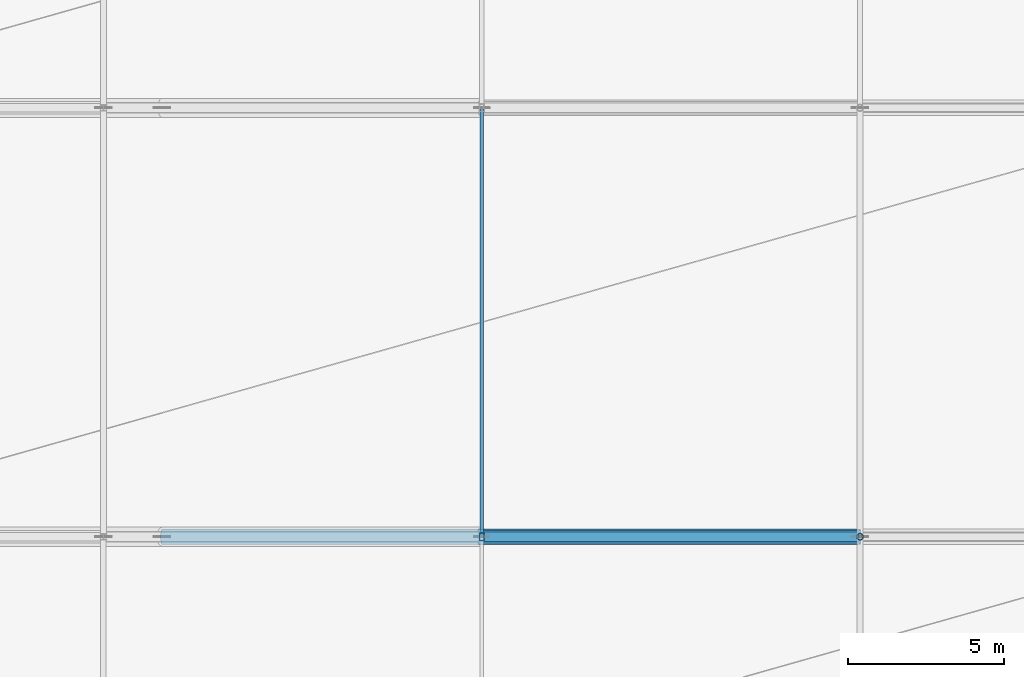
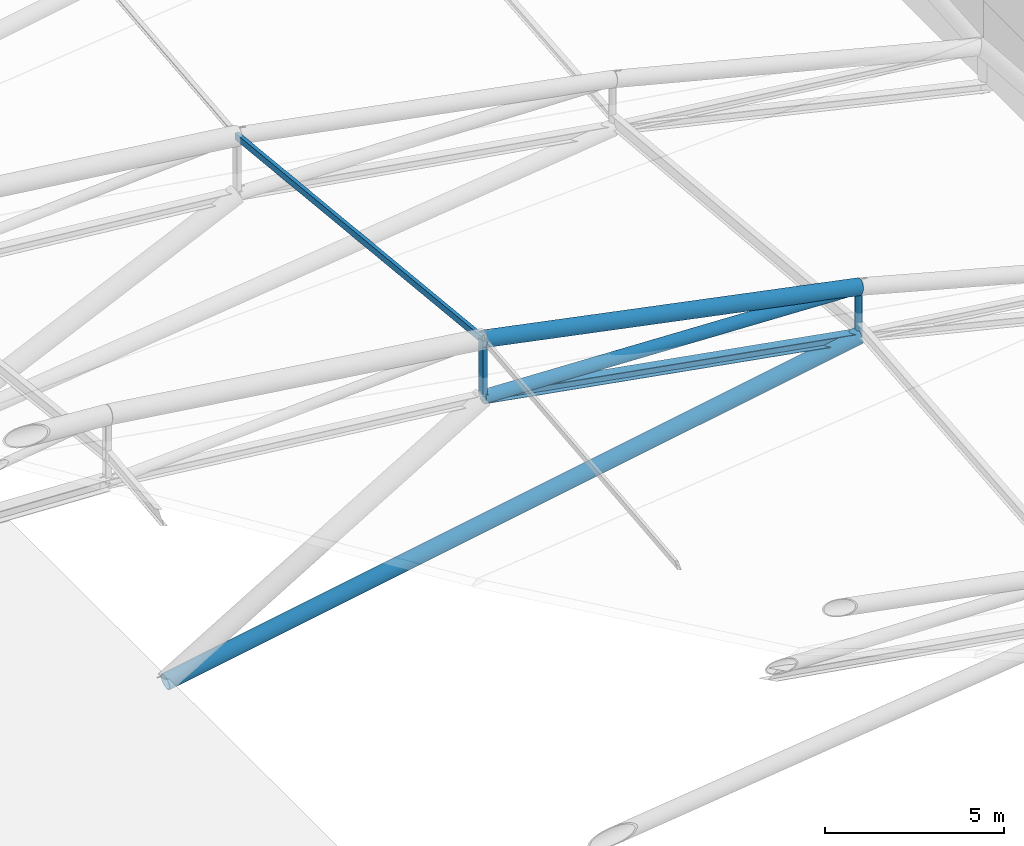
# One storey, part 10 of 36: 7 members.
"""IFC4 building model written with IfcOpenShell, lengths in metres."""

from ifc_helpers import new_model, si_unit, direction, frame, origin, origin_2d, place, context, subcontext, project, spatial, hollow_rectangle, hollow_circle, i_section, extrude, material, material_profile, profile_set, type_object, element, save


model = new_model("IFC4")

# Units and contexts
model_context = context("Model", 3, precision=1e-05, world=origin(), true_north=direction((0.0, 1.0)))
body_context = subcontext(model_context, "Body", "Model", "MODEL_VIEW")
ifc_project = project(units=[si_unit("LENGTHUNIT", "METRE"), si_unit("AREAUNIT", "SQUARE_METRE"), si_unit("VOLUMEUNIT", "CUBIC_METRE"), si_unit("PLANEANGLEUNIT", "RADIAN"), si_unit("MASSUNIT", "GRAM", prefix="KILO")], contexts=[model_context])

# Site, building, storey
site_placement = place(None, origin())
site = spatial("IfcSite", under=ifc_project, at=site_placement, CompositionType="ELEMENT")
building_placement = place(site_placement, origin())
building = spatial("IfcBuilding", under=site, at=building_placement, Name="Linyun Crest Stadium", CompositionType="ELEMENT")
storey_placement = place(building_placement, frame((0.0, 0.0, 31.60009765625)))
storey = spatial("IfcBuildingStorey", under=building, at=storey_placement, Name="RF", CompositionType="ELEMENT", Elevation=31.60009765625)

# Members
ifc_material_1 = material(Name="Steel Q355C", Category="steel")
ifc_material_profile_1 = material_profile(ifc_material_1, hollow_rectangle(XDim=0.1201171875, YDim=0.219970703125, WallThickness=0.008056640625, at=origin_2d()), Name="RHS 220x120x8")
ifc_profile_set_1 = profile_set([ifc_material_profile_1], Name="Steel Q355C")
member_type_1 = type_object("IfcMemberType", Name="AR03", PredefinedType="USERDEFINED", material=ifc_profile_set_1)
member_1_placement = place(storey_placement, frame((-59.75, -25.375, 7.8759765625), z_axis=(0.0, 0.994841166463, -0.101444829883), x_axis=(-1.0, 0.0, 0.0)))
element("IfcMember", 1, at=member_1_placement, inside=storey, type_object=member_type_1, Name="Art Nouveau canopy arch rib AR03 V1 164", ObjectType="ARCH RIB", PredefinedType="USERDEFINED", context=body_context, shape_type="SweptSolid", body=[
    extrude(hollow_rectangle(XDim=0.1201171875, YDim=0.219970703125, WallThickness=0.008056640625, at=origin_2d()), origin(), (0.0, 0.0, 1.0), 13.8212890625),
])
ifc_material_2 = material(Name="Steel Q420C", Category="steel")
ifc_material_profile_2 = material_profile(ifc_material_2, hollow_circle(Radius=0.25390625, WallThickness=0.02490234375, at=origin_2d()), Name="CHS 508x25")
ifc_profile_set_2 = profile_set([ifc_material_profile_2], Name="Steel Q420C")
member_type_2 = type_object("IfcMemberType", Name="TC01", PredefinedType="CHORD", material=ifc_profile_set_2)
member_2_placement = place(storey_placement, frame((-59.75, -25.375, 7.8759765625), z_axis=(0.980014256524, 0.0, -0.198927265625), x_axis=(0.0, 1.0, 0.0)))
element("IfcMember", 2, at=member_2_placement, inside=storey, type_object=member_type_2, Name="Roof truss top chord TC01 V1 48", PredefinedType="CHORD", context=body_context, shape_type="SweptSolid", body=[
    extrude(hollow_circle(Radius=0.25390625, WallThickness=0.02490234375, at=origin_2d()), origin(), (0.0, 0.0, 1.0), 12.372314453125),
])
member_3_placement = place(storey_placement, frame((-70.0, -25.375, -0.235107421875), z_axis=(0.984499461643, 0.0, 0.175387599405), x_axis=(0.0, 1.0, 0.0)))
element("IfcMember", 3, at=member_3_placement, inside=storey, type_object=member_type_2, Name="Roof arch forward V-strut TC01 V1 57", PredefinedType="CHORD", context=body_context, shape_type="SweptSolid", body=[
    extrude(hollow_circle(Radius=0.25390625, WallThickness=0.02490234375, at=origin_2d()), origin(), (0.0, 0.0, 1.0), 22.727294921875),
])
ifc_material_3 = material(Name="Steel Q355C", Category="steel")
ifc_material_profile_3 = material_profile(ifc_material_3, i_section(OverallWidth=0.300048828125, OverallDepth=0.300048828125, WebThickness=0.010009765625, FlangeThickness=0.014892578125, at=origin_2d()), Name="HW 300x300")
ifc_profile_set_3 = profile_set([ifc_material_profile_3], Name="Steel Q355C")
member_type_3 = type_object("IfcMemberType", Name="TC03", PredefinedType="CHORD", material=ifc_profile_set_3)
member_4_placement = place(storey_placement, frame((-59.75, -25.375, 5.89990234375), z_axis=(0.984655151778, 0.0, -0.174511409591), x_axis=(0.0, 1.0, 0.0)))
element("IfcMember", 4, at=member_4_placement, inside=storey, type_object=member_type_3, Name="Roof truss bottom chord TC03 V1 49", PredefinedType="CHORD", context=body_context, shape_type="SweptSolid", body=[
    extrude(i_section(OverallWidth=0.300048828125, OverallDepth=0.300048828125, WebThickness=0.010009765625, FlangeThickness=0.014892578125, at=origin_2d()), origin(), (0.0, 0.0, 1.0), 12.31396484375),
])
ifc_material_4 = material(Name="Steel Q420C", Category="steel")
ifc_material_profile_4 = material_profile(ifc_material_4, hollow_circle(Radius=0.202880859375, WallThickness=0.02001953125, at=origin_2d()), Name="CHS 406x20")
ifc_profile_set_4 = profile_set([ifc_material_profile_4], Name="Steel Q420C")
member_type_4 = type_object("IfcMemberType", Name="TD03", PredefinedType="BRACE", material=ifc_profile_set_4)
member_5_placement = place(storey_placement, frame((-59.75, -25.375, 5.89990234375), z_axis=(0.99920060515, 0.0, -0.03997687666), x_axis=(0.0, 1.0, 0.0)))
element("IfcMember", 5, at=member_5_placement, inside=storey, type_object=member_type_4, Name="Roof truss diagonal TD03 V1 50", PredefinedType="BRACE", context=body_context, shape_type="SweptSolid", body=[
    extrude(hollow_circle(Radius=0.202880859375, WallThickness=0.02001953125, at=origin_2d()), origin(), (0.0, 0.0, 1.0), 12.134765625),
])
ifc_material_5 = material(Name="Steel Q355C", Category="steel")
ifc_material_profile_5 = material_profile(ifc_material_5, hollow_circle(Radius=0.109619140625, WallThickness=0.011962890625, at=origin_2d()), Name="CHS 219x12")
ifc_profile_set_5 = profile_set([ifc_material_profile_5], Name="Steel Q355C")
member_type_5 = type_object("IfcMemberType", Name="TV01", PredefinedType="STRUT", material=ifc_profile_set_5)
member_6_placement = place(storey_placement, frame((-47.625, -25.375, 3.7509765625), z_axis=(0.0, 0.0, 1.0), x_axis=(1.0, 0.0, 0.0)))
element("IfcMember", 6, at=member_6_placement, inside=storey, type_object=member_type_5, Name="Roof vertical strut TV01 V1 55", PredefinedType="STRUT", context=body_context, shape_type="SweptSolid", body=[
    extrude(hollow_circle(Radius=0.109619140625, WallThickness=0.011962890625, at=origin_2d()), origin(), (0.0, 0.0, 1.0), 1.663818359375),
])
ifc_material_6 = material(Name="Steel Q355C", Category="steel")
ifc_material_profile_6 = material_profile(ifc_material_6, hollow_rectangle(XDim=0.14990234375, YDim=0.25, WallThickness=0.010009765625, at=origin_2d()), Name="RHS 250x150x10")
ifc_profile_set_6 = profile_set([ifc_material_profile_6], Name="Steel Q355C")
member_type_6 = type_object("IfcMemberType", Name="TV03", PredefinedType="STRUT", material=ifc_profile_set_6)
member_7_placement = place(storey_placement, frame((-59.75, -25.375, 5.89990234375), z_axis=(0.0, 0.0, 1.0), x_axis=(1.0, 0.0, 0.0)))
element("IfcMember", 7, at=member_7_placement, inside=storey, type_object=member_type_6, Name="Roof vertical strut TV03 V1 51", PredefinedType="STRUT", context=body_context, shape_type="SweptSolid", body=[
    extrude(hollow_rectangle(XDim=0.14990234375, YDim=0.25, WallThickness=0.010009765625, at=origin_2d()), origin(), (0.0, 0.0, 1.0), 1.97607421875),
])

save(model, "model.ifc")
